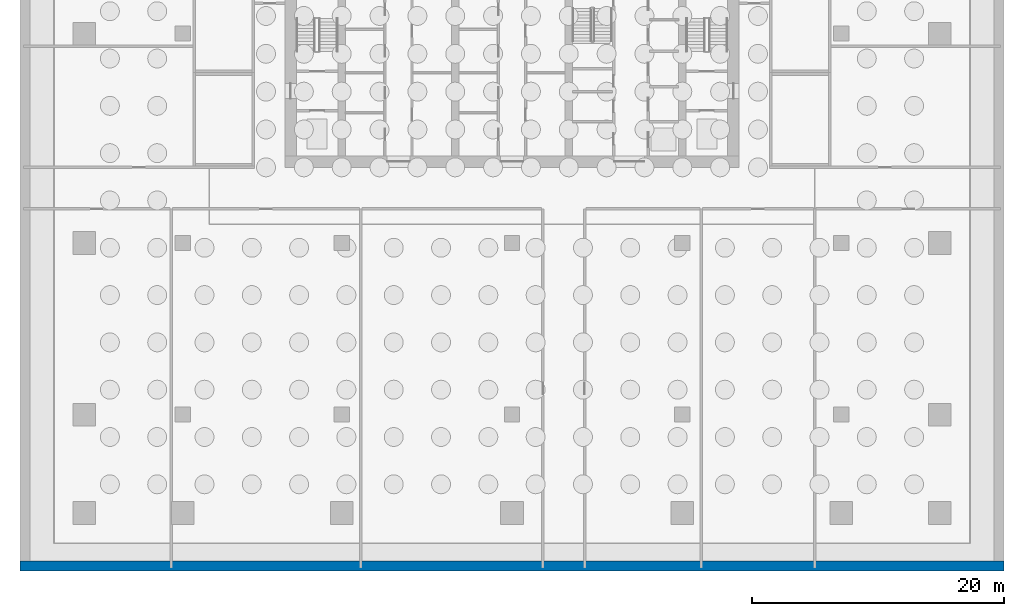
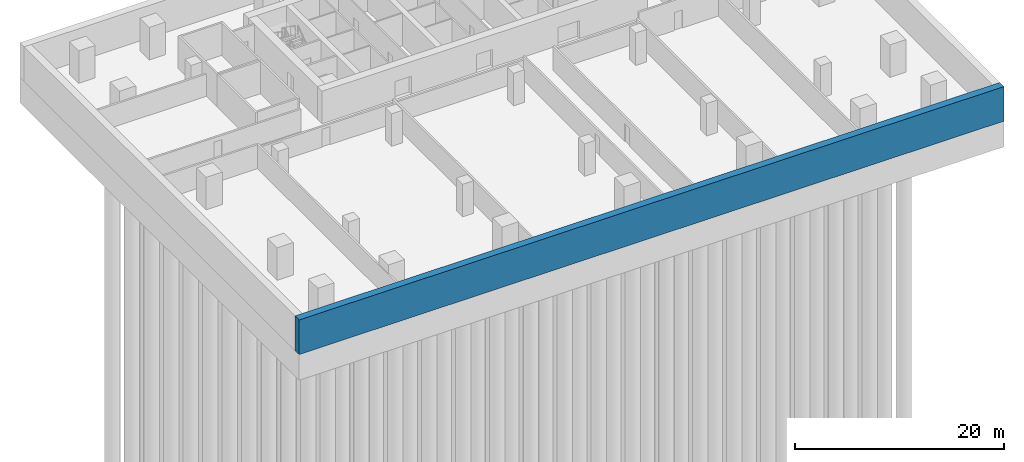
# One storey, part 4 of 10: 1 wall.
"""IFC4 building model written with IfcOpenShell, lengths in metres."""

from ifc_helpers import new_model, si_unit, direction, frame, frame_2d, origin, place, context, subcontext, project, spatial, rectangle, extrude, material, layer, layer_set, type_object, element, save


model = new_model("IFC4")

# Units and contexts
model_context = context("Model", 3, precision=1e-05, world=origin(), true_north=direction((0.0, 1.0)))
body_context = subcontext(model_context, "Body", "Model", "MODEL_VIEW")
ifc_project = project(units=[si_unit("LENGTHUNIT", "METRE"), si_unit("AREAUNIT", "SQUARE_METRE"), si_unit("VOLUMEUNIT", "CUBIC_METRE"), si_unit("PLANEANGLEUNIT", "RADIAN"), si_unit("MASSUNIT", "GRAM", prefix="KILO")], contexts=[model_context])

# Site, building, storey
site_placement = place(None, origin())
site = spatial("IfcSite", under=ifc_project, at=site_placement, CompositionType="ELEMENT")
building_placement = place(site_placement, origin())
building = spatial("IfcBuilding", under=site, at=building_placement, Name="Rattan Terrace Tower", CompositionType="ELEMENT")
storey_placement = place(building_placement, frame((0.0, 0.0, -13.5)))
storey = spatial("IfcBuildingStorey", under=building, at=storey_placement, Name="B3", CompositionType="ELEMENT", Elevation=-13.5)

# Wall
ifc_material = material(Name="Concrete C40/50", Category="concrete")
ifc_layer = layer(ifc_material, 0.800048828125)
ifc_layer_set = layer_set([ifc_layer], Name="Frame basement wall 800")
wall_type = type_object("IfcWallType", Name="Frame basement wall 800", PredefinedType="SOLIDWALL", material=ifc_layer_set)
wall_placement = place(storey_placement, frame((-39.0, -39.10009765625, -0.25), z_axis=(0.0, 0.0, 1.0), x_axis=(1.0, 0.0, 0.0)))
element("IfcWall", 1, at=wall_placement, inside=storey, type_object=wall_type, Name="Basement wall", PredefinedType="SOLIDWALL", context=body_context, shape_type="SweptSolid", body=[
    extrude(rectangle(XDim=78.0, YDim=0.800048828125, at=frame_2d((39.0, 0.0))), origin(), (0.0, 0.0, 1.0), 4.050048828125),
])

save(model, "model.ifc")
